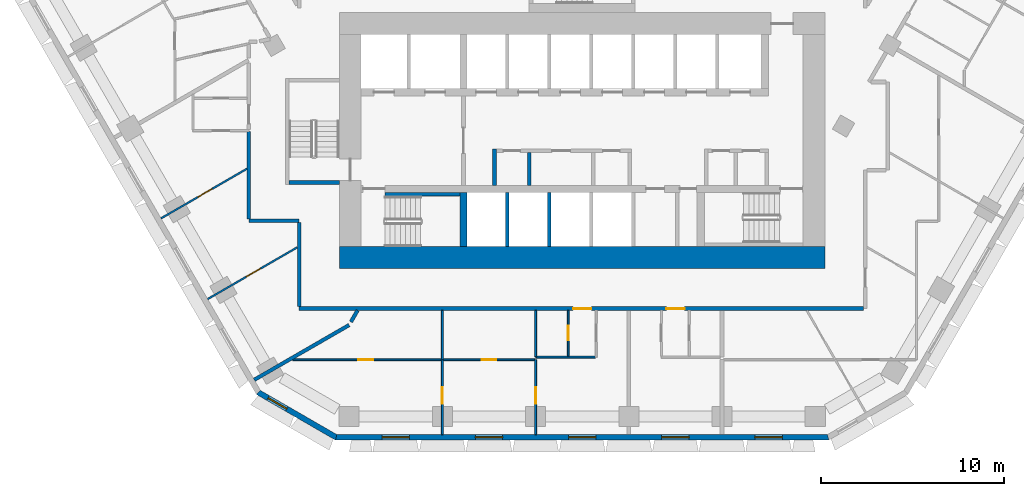
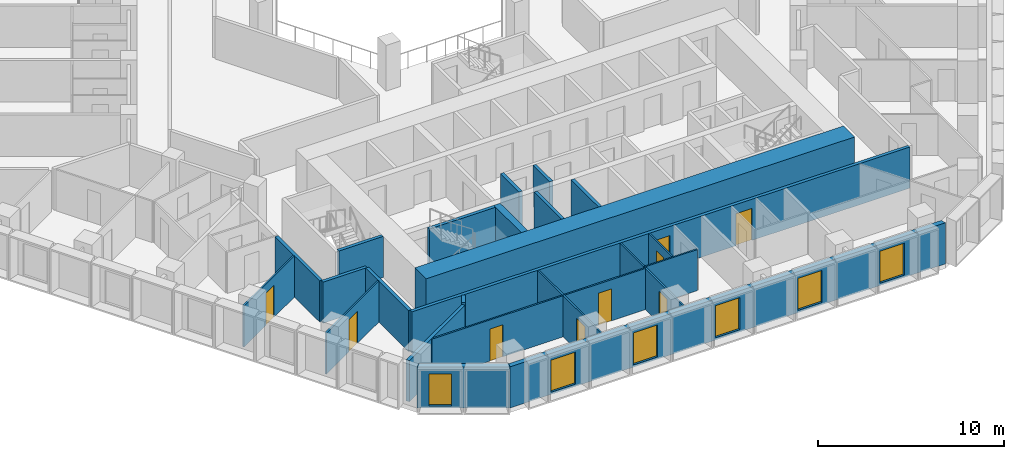
# One storey, part 3 of 16: 25 walls, 9 doors, 6 windows, 15 openings.
"""IFC4 building model written with IfcOpenShell, lengths in metres."""

import ifcopenshell
import ifcopenshell.guid

model = None  # the IFC model being written
_history = None  # IfcOwnerHistory: only IFC2X3 demands one
_inside = {}  # id of a spatial element -> (the spatial element, [elements in it])
_under = {}  # id of a project, library or spatial element -> (it, [spatial elements below it])
_declared = {}  # id of a project -> (the project, [libraries it declares])
_typed = {}  # id of a type object -> (the type object, [elements of that type])
_made_of = {}  # id of a material, layer set ... -> (it, [elements and type objects made of it])


def new_model(schema):
    """Start an empty IFC model of exactly this schema.

    Asked for "IFC4X3", IfcOpenShell would pick the latest addendum, in which some entities
    have other attributes; the version numbers below select the first issue.
    IFC2X3 requires an IfcOwnerHistory on every rooted entity: one is made here for all.
    """
    global model, _history
    if schema == "IFC4X3":
        model = ifcopenshell.file(schema_version=(4, 3, 0, 0))
    else:
        model = ifcopenshell.file(schema=schema)
    _inside.clear()
    _under.clear()
    _declared.clear()
    _typed.clear()
    _made_of.clear()
    _history = None
    if model.schema == "IFC2X3":
        org = make("IfcOrganization", Name="unknown")
        user = make(
            "IfcPersonAndOrganization",
            ThePerson=make("IfcPerson", FamilyName="unknown"),
            TheOrganization=org,
        )
        app = make(
            "IfcApplication",
            ApplicationDeveloper=org,
            Version="unknown",
            ApplicationFullName="unknown",
            ApplicationIdentifier="unknown",
        )
        _history = make(
            "IfcOwnerHistory",
            OwningUser=user,
            OwningApplication=app,
            ChangeAction="ADDED",
            CreationDate=0,
        )
    return model


def make(cls, **values):
    """One entity of the class cls with the attributes given. An attribute that is None is left unset."""
    return model.create_entity(
        cls, **{name: value for name, value in values.items() if value is not None}
    )


def rooted(cls, **values):
    """An entity with a GlobalId (a new one), such as an element, a storey or a relation."""
    return make(cls, GlobalId=ifcopenshell.guid.new(), OwnerHistory=_history, **values)


def si_unit(unit_type, name, prefix=None):
    """IfcSIUnit, for example si_unit("LENGTHUNIT", "METRE", prefix="MILLI")."""
    return make("IfcSIUnit", UnitType=unit_type, Prefix=prefix, Name=name)


def assignment(units):
    """IfcUnitAssignment: the units of a project."""
    return None if units is None else make("IfcUnitAssignment", Units=units)


def point(xyz):
    """IfcCartesianPoint."""
    return None if xyz is None else make("IfcCartesianPoint", Coordinates=xyz)


def direction(xyz):
    """IfcDirection."""
    return None if xyz is None else make("IfcDirection", DirectionRatios=xyz)


def frame(location, z_axis=None, x_axis=None):
    """IfcAxis2Placement3D, a coordinate frame: its origin and axes. An axis left out is left unset."""
    return make(
        "IfcAxis2Placement3D",
        Location=point(location),
        Axis=direction(z_axis),
        RefDirection=direction(x_axis),
    )


def frame_2d(location, x_axis=None):
    """IfcAxis2Placement2D, a coordinate frame in the plane: its origin and x axis."""
    return make(
        "IfcAxis2Placement2D", Location=point(location), RefDirection=direction(x_axis)
    )


def origin():
    """The frame at (0, 0, 0) with its axes left unset."""
    return frame((0.0, 0.0, 0.0))


def place(relative_to, where):
    """IfcLocalPlacement: puts the frame where relative to a parent placement (None: the world)."""
    return make(
        "IfcLocalPlacement", PlacementRelTo=relative_to, RelativePlacement=where
    )


def context(
    kind, dimensions, precision=None, world=None, true_north=None, identifier=None
):
    """IfcGeometricRepresentationContext, for example the 3D "Model" context."""
    return make(
        "IfcGeometricRepresentationContext",
        ContextIdentifier=identifier,
        ContextType=kind,
        CoordinateSpaceDimension=dimensions,
        Precision=precision,
        WorldCoordinateSystem=world,
        TrueNorth=true_north,
    )


def subcontext(parent, identifier, kind, view, scale=None):
    """IfcGeometricRepresentationSubContext, for example "Body" below "Model"."""
    return make(
        "IfcGeometricRepresentationSubContext",
        ContextIdentifier=identifier,
        ContextType=kind,
        ParentContext=parent,
        TargetScale=scale,
        TargetView=view,
    )


def project(units=None, contexts=None):
    """IfcProject with its units and contexts."""
    return rooted(
        "IfcProject",
        Name="project",
        RepresentationContexts=contexts,
        UnitsInContext=assignment(units),
    )


def spatial(cls, under=None, at=None, **own):
    """A site, building, storey or space (cls), placed at a placement, below another one or the project."""
    s = rooted(cls, ObjectPlacement=at, **own)
    if under is not None:
        _under.setdefault(under.id(), (under, []))[1].append(s)
    return s


def polyline(points):
    """IfcPolyline through the points."""
    return make("IfcPolyline", Points=[point(p) for p in points])


def profile(cls, at=None, kind="AREA", **sizes):
    """A parametric profile (cls). Its sizes go by their IFC names, for example OverallWidth=200.0."""
    return make(cls, ProfileType=kind, Position=at, **sizes)


def rectangle(**sizes):
    """IfcRectangleProfileDef."""
    return profile("IfcRectangleProfileDef", **sizes)


def outline(outer, holes=None, kind="AREA"):
    """IfcArbitraryClosedProfileDef: a profile drawn as a closed curve; with holes, ...WithVoids."""
    if holes is None:
        return make("IfcArbitraryClosedProfileDef", ProfileType=kind, OuterCurve=outer)
    return make(
        "IfcArbitraryProfileDefWithVoids",
        ProfileType=kind,
        OuterCurve=outer,
        InnerCurves=holes,
    )


def extrude(swept, where, along, depth):
    """IfcExtrudedAreaSolid: the profile swept, set in the frame where, extruded along a direction by depth."""
    return make(
        "IfcExtrudedAreaSolid",
        SweptArea=swept,
        Position=where,
        ExtrudedDirection=direction(along),
        Depth=depth,
    )


def shape(context_of_items, identifier, shape_type, items):
    """IfcShapeRepresentation: the items that make up one representation, for example the "Body"."""
    return make(
        "IfcShapeRepresentation",
        ContextOfItems=context_of_items,
        RepresentationIdentifier=identifier,
        RepresentationType=shape_type,
        Items=items,
    )


def material(Name=None, Category=None):
    """IfcMaterial."""
    return make("IfcMaterial", Name=Name, Category=Category)


def layer(
    of_material, thickness, ventilated=None, Name=None, Category=None, Priority=None
):
    """IfcMaterialLayer: one layer of a wall or slab, of a material (None: an air gap)."""
    return make(
        "IfcMaterialLayer",
        Material=of_material,
        LayerThickness=thickness,
        IsVentilated=ventilated,
        Name=Name,
        Category=Category,
        Priority=Priority,
    )


def layer_set(layers, Name=None):
    """IfcMaterialLayerSet."""
    return make("IfcMaterialLayerSet", MaterialLayers=layers, LayerSetName=Name)


def made_of(thing, what):
    """Note that an element or type object is made of a material, layer set ...; save() writes the relation."""
    if what is not None:
        _made_of.setdefault(what.id(), (what, []))[1].append(thing)
    return thing


def type_object(cls, material=None, **own):
    """A type object (cls), such as IfcWallType, which elements share."""
    return made_of(rooted(cls, **own), material)


def element(
    cls,
    number,
    at=None,
    inside=None,
    cuts=None,
    type_object=None,
    material=None,
    context=None,
    identifier="Body",
    shape_type=None,
    held_by="IfcProductDefinitionShape",
    body=None,
    shapes=None,
    **own,
):
    """One element of the class cls, such as IfcWall. Its Tag is "e" and its number.

    at: its placement. inside: the storey or other place that contains it. cuts: it is an
    opening in that element (IfcRelVoidsElement). A single representation is given by context,
    identifier, shape_type and body (its items); several are given by shapes. held_by: the class
    of the entity that holds the representations. save() writes the other relations.
    """
    e = rooted(cls, Tag="e%d" % number, ObjectPlacement=at, **own)
    if body is not None:
        shapes = [shape(context, identifier, shape_type, body)]
    if shapes is not None:
        e.Representation = make(held_by, Representations=shapes)
    if inside is not None:
        _inside.setdefault(inside.id(), (inside, []))[1].append(e)
    if cuts is not None:
        rooted(
            "IfcRelVoidsElement", RelatingBuildingElement=cuts, RelatedOpeningElement=e
        )
    if type_object is not None:
        _typed.setdefault(type_object.id(), (type_object, []))[1].append(e)
    return made_of(e, material)


def fill(opening, filler):
    """IfcRelFillsElement: the door or window that sits in an opening."""
    return rooted(
        "IfcRelFillsElement",
        RelatingOpeningElement=opening,
        RelatedBuildingElement=filler,
    )


def aggregate(whole, parts):
    """IfcRelAggregates: a whole, such as a stair, and the parts it consists of."""
    return rooted("IfcRelAggregates", RelatingObject=whole, RelatedObjects=parts)


def save(model, path):
    """Write the relations noted so far, then the file.

    IfcRelAggregates (storeys below a building ...), IfcRelContainedInSpatialStructure (elements
    in a storey), IfcRelDefinesByType, IfcRelAssociatesMaterial and IfcRelDeclares: one each for
    every whole, place, type object, material and project.
    """
    for whole, parts in _under.values():
        aggregate(whole, parts)
    for where, things in _inside.values():
        rooted(
            "IfcRelContainedInSpatialStructure",
            RelatedElements=things,
            RelatingStructure=where,
        )
    for kind, things in _typed.values():
        rooted("IfcRelDefinesByType", RelatedObjects=things, RelatingType=kind)
    for what, things in _made_of.values():
        rooted("IfcRelAssociatesMaterial", RelatedObjects=things, RelatingMaterial=what)
    for by, libraries in _declared.values():
        rooted("IfcRelDeclares", RelatingContext=by, RelatedDefinitions=libraries)
    model.write(path)


model = new_model("IFC4")

# Units and contexts
model_context = context("Model", 3, precision=1e-05, world=origin(), true_north=direction((0.0, 1.0)))
body_context = subcontext(model_context, "Body", "Model", "MODEL_VIEW")
ifc_project = project(units=[si_unit("LENGTHUNIT", "METRE"), si_unit("AREAUNIT", "SQUARE_METRE"), si_unit("VOLUMEUNIT", "CUBIC_METRE"), si_unit("PLANEANGLEUNIT", "RADIAN"), si_unit("MASSUNIT", "GRAM", prefix="KILO")], contexts=[model_context])

# Site, building, storey
site_placement = place(None, origin())
site = spatial("IfcSite", under=ifc_project, at=site_placement, CompositionType="ELEMENT")
building_placement = place(site_placement, origin())
building = spatial("IfcBuilding", under=site, at=building_placement, Name="Beryl Residences", CompositionType="ELEMENT")
storey_placement = place(building_placement, frame((0.0, 0.0, 32.39990234375)))
storey = spatial("IfcBuildingStorey", under=building, at=storey_placement, Name="L09", CompositionType="ELEMENT", Elevation=32.39990234375)

# Wall, opening, window
ifc_material_1 = material(Name="Composite metal panel with mineral wool insulation")
ifc_layer_1 = layer(ifc_material_1, 0.300048828125)
ifc_layer_set_1 = layer_set([ifc_layer_1], Name="ES1 pale metal composite panel wall 300 mm")
wall_type_1 = type_object("IfcWallType", Name="ES1 pale metal composite panel wall 300 mm", PredefinedType="SOLIDWALL", material=ifc_layer_set_1)
wall_1_placement = place(storey_placement, frame((-17.764892578125, -25.77001953125, 0.0), z_axis=(0.0, 0.0, 1.0), x_axis=(0.866010750942, -0.50002537861, 0.0)))
wall_1 = element("IfcWall", 1, at=wall_1_placement, inside=storey, type_object=wall_type_1, Name="ES1 external wall L09 SW-S", PredefinedType="SOLIDWALL", context=body_context, shape_type="SweptSolid", body=[
    extrude(outline(polyline([(0.0, -0.14990234375), (4.999755859375, -0.14990234375), (4.91943359375, 0.14990234375), (0.080322265625, 0.14990234375), (0.0, -0.14990234375)])), origin(), (0.0, 0.0, 1.0), 2.7001953125),
])
opening_1_placement = place(wall_1_placement, frame((0.64990234375, 0.0, 0.14990234375)))
opening_1 = element("IfcOpeningElement", 2, at=opening_1_placement, cuts=wall_1, Name="Opening W2", PredefinedType="OPENING", context=body_context, shape_type="SweptSolid", body=[
    extrude(rectangle(XDim=1.199951171875, YDim=2.10009765625, at=frame_2d((0.60009765625, 1.050048828125))), frame((0.0, 0.159912109375, 0.0), z_axis=(0.0, -1.0, 0.0), x_axis=(1.0, 0.0, 0.0)), (0.0, 0.0, 1.0), 0.320068359375),
])
ifc_material_2 = material(Name="Aluminium and clear glass", Category="aluminium")
window_type_1 = type_object("IfcWindowType", Name="W2 chamfer window 1200 x 2100 mm", PartitioningType="SINGLE_PANEL", PredefinedType="WINDOW", material=ifc_material_2)
window_1_placement = place(opening_1_placement, origin())
window_1 = element("IfcWindow", 3, at=window_1_placement, inside=storey, type_object=window_type_1, Name="W2 window L09 SW-S 1", OverallHeight=2.10009765625, OverallWidth=1.199951171875, PartitioningType="SINGLE_PANEL", PredefinedType="WINDOW", context=body_context, shape_type="SweptSolid", body=[
    extrude(rectangle(XDim=1.199951171875, YDim=2.10009765625, at=frame_2d((0.60009765625, 1.050048828125))), frame((0.0, 0.030029296875, 0.0), z_axis=(0.0, -1.0, 0.0), x_axis=(1.0, 0.0, 0.0)), (0.0, 0.0, 1.0), 0.06005859375),
])
fill(opening_1, window_1)

# Wall, openings, windows
wall_2_placement = place(storey_placement, frame((-13.510009765625, -28.25, 0.0), z_axis=(0.0, 0.0, 1.0), x_axis=(1.0, 0.0, 0.0)))
wall_2 = element("IfcWall", 4, at=wall_2_placement, inside=storey, type_object=wall_type_1, Name="ES1 external wall L09 S", PredefinedType="SOLIDWALL", context=body_context, shape_type="SweptSolid", body=[
    extrude(outline(polyline([(0.0, -0.14990234375), (27.02001953125, -0.14990234375), (26.939697265625, 0.14990234375), (0.080322265625, 0.14990234375), (0.0, -0.14990234375)])), origin(), (0.0, 0.0, 1.0), 2.7001953125),
])
opening_2_placement = place(wall_2_placement, frame((2.552978515625, 0.0, 0.14990234375)))
opening_2 = element("IfcOpeningElement", 5, at=opening_2_placement, cuts=wall_2, Name="Opening W1", PredefinedType="OPENING", context=body_context, shape_type="SweptSolid", body=[
    extrude(rectangle(XDim=1.5, YDim=2.10009765625, at=frame_2d((0.75, 1.050048828125))), frame((0.0, 0.159912109375, 0.0), z_axis=(0.0, -1.0, 0.0), x_axis=(1.0, 0.0, 0.0)), (0.0, 0.0, 1.0), 0.320068359375),
])
opening_3_placement = place(wall_2_placement, frame((7.656982421875, 0.0, 0.14990234375)))
opening_3 = element("IfcOpeningElement", 6, at=opening_3_placement, cuts=wall_2, Name="Opening W1", PredefinedType="OPENING", context=body_context, shape_type="SweptSolid", body=[
    extrude(rectangle(XDim=1.5, YDim=2.10009765625, at=frame_2d((0.75, 1.050048828125))), frame((0.0, 0.159912109375, 0.0), z_axis=(0.0, -1.0, 0.0), x_axis=(1.0, 0.0, 0.0)), (0.0, 0.0, 1.0), 0.320068359375),
])
opening_4_placement = place(wall_2_placement, frame((12.760986328125, 0.0, 0.14990234375)))
opening_4 = element("IfcOpeningElement", 7, at=opening_4_placement, cuts=wall_2, Name="Opening W1", PredefinedType="OPENING", context=body_context, shape_type="SweptSolid", body=[
    extrude(rectangle(XDim=1.5, YDim=2.10009765625, at=frame_2d((0.75, 1.050048828125))), frame((0.0, 0.159912109375, 0.0), z_axis=(0.0, -1.0, 0.0), x_axis=(1.0, 0.0, 0.0)), (0.0, 0.0, 1.0), 0.320068359375),
])
opening_5_placement = place(wall_2_placement, frame((17.864990234375, 0.0, 0.14990234375)))
opening_5 = element("IfcOpeningElement", 8, at=opening_5_placement, cuts=wall_2, Name="Opening W1", PredefinedType="OPENING", context=body_context, shape_type="SweptSolid", body=[
    extrude(rectangle(XDim=1.5, YDim=2.10009765625, at=frame_2d((0.75, 1.050048828125))), frame((0.0, 0.159912109375, 0.0), z_axis=(0.0, -1.0, 0.0), x_axis=(1.0, 0.0, 0.0)), (0.0, 0.0, 1.0), 0.320068359375),
])
opening_6_placement = place(wall_2_placement, frame((22.968994140625, 0.0, 0.14990234375)))
opening_6 = element("IfcOpeningElement", 9, at=opening_6_placement, cuts=wall_2, Name="Opening W1", PredefinedType="OPENING", context=body_context, shape_type="SweptSolid", body=[
    extrude(rectangle(XDim=1.5, YDim=2.10009765625, at=frame_2d((0.75, 1.050048828125))), frame((0.0, 0.159912109375, 0.0), z_axis=(0.0, -1.0, 0.0), x_axis=(1.0, 0.0, 0.0)), (0.0, 0.0, 1.0), 0.320068359375),
])
ifc_material_3 = material(Name="Aluminium and clear glass", Category="aluminium")
window_type_2 = type_object("IfcWindowType", Name="W1 cell window 1500 x 2100 mm", PartitioningType="SINGLE_PANEL", PredefinedType="WINDOW", material=ifc_material_3)
window_2_placement = place(opening_2_placement, origin())
window_2 = element("IfcWindow", 10, at=window_2_placement, inside=storey, type_object=window_type_2, Name="W1 window L09 S 2", OverallHeight=2.10009765625, OverallWidth=1.5, PartitioningType="SINGLE_PANEL", PredefinedType="WINDOW", context=body_context, shape_type="SweptSolid", body=[
    extrude(rectangle(XDim=1.5, YDim=2.10009765625, at=frame_2d((0.75, 1.050048828125))), frame((0.0, 0.030029296875, 0.0), z_axis=(0.0, -1.0, 0.0), x_axis=(1.0, 0.0, 0.0)), (0.0, 0.0, 1.0), 0.06005859375),
])
fill(opening_2, window_2)
window_3_placement = place(opening_3_placement, origin())
window_3 = element("IfcWindow", 11, at=window_3_placement, inside=storey, type_object=window_type_2, Name="W1 window L09 S 4", OverallHeight=2.10009765625, OverallWidth=1.5, PartitioningType="SINGLE_PANEL", PredefinedType="WINDOW", context=body_context, shape_type="SweptSolid", body=[
    extrude(rectangle(XDim=1.5, YDim=2.10009765625, at=frame_2d((0.75, 1.050048828125))), frame((0.0, 0.030029296875, 0.0), z_axis=(0.0, -1.0, 0.0), x_axis=(1.0, 0.0, 0.0)), (0.0, 0.0, 1.0), 0.06005859375),
])
fill(opening_3, window_3)
window_4_placement = place(opening_4_placement, origin())
window_4 = element("IfcWindow", 12, at=window_4_placement, inside=storey, type_object=window_type_2, Name="W1 window L09 S 6", OverallHeight=2.10009765625, OverallWidth=1.5, PartitioningType="SINGLE_PANEL", PredefinedType="WINDOW", context=body_context, shape_type="SweptSolid", body=[
    extrude(rectangle(XDim=1.5, YDim=2.10009765625, at=frame_2d((0.75, 1.050048828125))), frame((0.0, 0.030029296875, 0.0), z_axis=(0.0, -1.0, 0.0), x_axis=(1.0, 0.0, 0.0)), (0.0, 0.0, 1.0), 0.06005859375),
])
fill(opening_4, window_4)
window_5_placement = place(opening_5_placement, origin())
window_5 = element("IfcWindow", 13, at=window_5_placement, inside=storey, type_object=window_type_2, Name="W1 window L09 S 8", OverallHeight=2.10009765625, OverallWidth=1.5, PartitioningType="SINGLE_PANEL", PredefinedType="WINDOW", context=body_context, shape_type="SweptSolid", body=[
    extrude(rectangle(XDim=1.5, YDim=2.10009765625, at=frame_2d((0.75, 1.050048828125))), frame((0.0, 0.030029296875, 0.0), z_axis=(0.0, -1.0, 0.0), x_axis=(1.0, 0.0, 0.0)), (0.0, 0.0, 1.0), 0.06005859375),
])
fill(opening_5, window_5)
window_6_placement = place(opening_6_placement, origin())
window_6 = element("IfcWindow", 14, at=window_6_placement, inside=storey, type_object=window_type_2, Name="W1 window L09 S 10", OverallHeight=2.10009765625, OverallWidth=1.5, PartitioningType="SINGLE_PANEL", PredefinedType="WINDOW", context=body_context, shape_type="SweptSolid", body=[
    extrude(rectangle(XDim=1.5, YDim=2.10009765625, at=frame_2d((0.75, 1.050048828125))), frame((0.0, 0.030029296875, 0.0), z_axis=(0.0, -1.0, 0.0), x_axis=(1.0, 0.0, 0.0)), (0.0, 0.0, 1.0), 0.06005859375),
])
fill(opening_6, window_6)

# Walls
ifc_material_4 = material(Name="Gypsum board partition on steel studs", Category="steel")
ifc_layer_2 = layer(ifc_material_4, 0.10009765625)
ifc_layer_set_2 = layer_set([ifc_layer_2], Name="PT1 partition 100 mm gypsum board on steel studs")
wall_type_2 = type_object("IfcWallType", Name="PT1 partition 100 mm gypsum board on steel studs", PredefinedType="PARTITIONING", material=ifc_layer_set_2)
wall_3_placement = place(storey_placement, frame((-2.551025390625, -21.300048828125, 0.0), z_axis=(0.0, 0.0, 1.0), x_axis=(0.0, -1.0, 0.0)))
element("IfcWall", 15, at=wall_3_placement, inside=storey, type_object=wall_type_2, Name="Wall PT1 L09 011", PredefinedType="PARTITIONING", context=body_context, shape_type="SweptSolid", body=[
    extrude(rectangle(XDim=2.530029296875, YDim=0.10009765625, at=frame_2d((1.26513671875, 0.0))), origin(), (0.0, 0.0, 1.0), 2.7001953125),
])
wall_4_placement = place(storey_placement, frame((-2.551025390625, -23.860107421875, 0.0), z_axis=(0.0, 0.0, 1.0), x_axis=(1.0, 0.0, 0.0)))
element("IfcWall", 16, at=wall_4_placement, inside=storey, type_object=wall_type_2, Name="Wall PT1 L09 030", PredefinedType="PARTITIONING", context=body_context, shape_type="SweptSolid", body=[
    extrude(rectangle(XDim=3.26708984375, YDim=0.10009765625, at=frame_2d((1.633544921875, 0.0))), origin(), (0.0, 0.0, 1.0), 2.7001953125),
])

# Wall, openings, doors
wall_5_placement = place(storey_placement, frame((-15.847900390625, -24.0, 0.0), z_axis=(0.0, 0.0, 1.0), x_axis=(1.0, 0.0, 0.0)))
wall_5 = element("IfcWall", 17, at=wall_5_placement, inside=storey, type_object=wall_type_2, Name="Wall PT1 L09 032", PredefinedType="PARTITIONING", context=body_context, shape_type="SweptSolid", body=[
    extrude(rectangle(XDim=13.246826171875, YDim=0.10009765625, at=frame_2d((6.62353515625, 0.0))), origin(), (0.0, 0.0, 1.0), 2.7001953125),
])
opening_7_placement = place(wall_5_placement, frame((3.595947265625, 0.0, 0.0)))
opening_7 = element("IfcOpeningElement", 18, at=opening_7_placement, cuts=wall_5, Name="Opening D0429", PredefinedType="OPENING", context=body_context, shape_type="SweptSolid", body=[
    extrude(rectangle(XDim=0.800048828125, YDim=2.10009765625, at=frame_2d((0.39990234375, 1.050048828125))), frame((0.0, 0.06005859375, 0.0), z_axis=(0.0, -1.0, 0.0), x_axis=(1.0, 0.0, 0.0)), (0.0, 0.0, 1.0), 0.1201171875),
])
opening_8_placement = place(wall_5_placement, frame((10.344970703125, 0.0, 0.0)))
opening_8 = element("IfcOpeningElement", 19, at=opening_8_placement, cuts=wall_5, Name="Opening D0430", PredefinedType="OPENING", context=body_context, shape_type="SweptSolid", body=[
    extrude(rectangle(XDim=0.800048828125, YDim=2.10009765625, at=frame_2d((0.39990234375, 1.050048828125))), frame((0.0, 0.06005859375, 0.0), z_axis=(0.0, -1.0, 0.0), x_axis=(1.0, 0.0, 0.0)), (0.0, 0.0, 1.0), 0.1201171875),
])
ifc_material_5 = material(Name="Timber door leaf", Category="wood")
door_type_1 = type_object("IfcDoorType", Name="D3 bathroom door 800 x 2100 mm", OperationType="SINGLE_SWING_LEFT", PredefinedType="DOOR", material=ifc_material_5)
door_1_placement = place(opening_7_placement, origin())
door_1 = element("IfcDoor", 20, at=door_1_placement, inside=storey, type_object=door_type_1, Name="Door D0429 L09 001", OperationType="SINGLE_SWING_LEFT", OverallHeight=2.10009765625, OverallWidth=0.800048828125, PredefinedType="DOOR", context=body_context, shape_type="SweptSolid", body=[
    extrude(rectangle(XDim=0.800048828125, YDim=2.10009765625, at=frame_2d((0.39990234375, 1.050048828125))), frame((0.0, 0.02490234375, 0.0), z_axis=(0.0, -1.0, 0.0), x_axis=(1.0, 0.0, 0.0)), (0.0, 0.0, 1.0), 0.050048828125),
])
fill(opening_7, door_1)
door_2_placement = place(opening_8_placement, origin())
door_2 = element("IfcDoor", 21, at=door_2_placement, inside=storey, type_object=door_type_1, Name="Door D0430 L09 001", OperationType="SINGLE_SWING_RIGHT", OverallHeight=2.10009765625, OverallWidth=0.800048828125, PredefinedType="DOOR", context=body_context, shape_type="SweptSolid", body=[
    extrude(rectangle(XDim=0.800048828125, YDim=2.10009765625, at=frame_2d((0.39990234375, 1.050048828125))), frame((0.0, 0.02490234375, 0.0), z_axis=(0.0, -1.0, 0.0), x_axis=(1.0, 0.0, 0.0)), (0.0, 0.0, 1.0), 0.050048828125),
])
fill(opening_8, door_2)

# Wall, opening, door
wall_6_placement = place(storey_placement, frame((-0.764892578125, -23.81005859375, 0.0), z_axis=(0.0, 0.0, 1.0), x_axis=(0.0, 1.0, 0.0)))
wall_6 = element("IfcWall", 22, at=wall_6_placement, inside=storey, type_object=wall_type_2, Name="Wall PT1 L09 053", PredefinedType="PARTITIONING", context=body_context, shape_type="SweptSolid", body=[
    extrude(rectangle(XDim=2.510009765625, YDim=0.10009765625, at=frame_2d((1.2548828125, 0.0))), origin(), (0.0, 0.0, 1.0), 2.7001953125),
])
opening_9_placement = place(wall_6_placement, frame((0.8798828125, 0.0, 0.0)))
opening_9 = element("IfcOpeningElement", 23, at=opening_9_placement, cuts=wall_6, Name="Opening D0426", PredefinedType="OPENING", context=body_context, shape_type="SweptSolid", body=[
    extrude(rectangle(XDim=0.800048828125, YDim=2.10009765625, at=frame_2d((0.39990234375, 1.050048828125))), frame((0.0, 0.06005859375, 0.0), z_axis=(0.0, -1.0, 0.0), x_axis=(1.0, 0.0, 0.0)), (0.0, 0.0, 1.0), 0.1201171875),
])
door_3_placement = place(opening_9_placement, origin())
door_3 = element("IfcDoor", 24, at=door_3_placement, inside=storey, type_object=door_type_1, Name="Door D0426 L09 001", OperationType="SINGLE_SWING_RIGHT", OverallHeight=2.10009765625, OverallWidth=0.800048828125, PredefinedType="DOOR", context=body_context, shape_type="SweptSolid", body=[
    extrude(rectangle(XDim=0.800048828125, YDim=2.10009765625, at=frame_2d((0.39990234375, 1.050048828125))), frame((0.0, 0.02490234375, 0.0), z_axis=(0.0, -1.0, 0.0), x_axis=(1.0, 0.0, 0.0)), (0.0, 0.0, 1.0), 0.050048828125),
])
fill(opening_9, door_3)

wall_7_placement = place(storey_placement, frame((-7.655029296875, -28.10009765625, 0.0), z_axis=(0.0, 0.0, 1.0), x_axis=(0.0, 1.0, 0.0)))
wall_7 = element("IfcWall", 25, at=wall_7_placement, inside=storey, type_object=wall_type_2, Name="Wall PT1 L09 054", PredefinedType="PARTITIONING", context=body_context, shape_type="SweptSolid", body=[
    extrude(rectangle(XDim=4.10009765625, YDim=0.10009765625, at=frame_2d((2.050048828125, 0.0))), origin(), (0.0, 0.0, 1.0), 2.7001953125),
])
opening_10_placement = place(wall_7_placement, frame((1.699951171875, 0.0, 0.0)))
opening_10 = element("IfcOpeningElement", 26, at=opening_10_placement, cuts=wall_7, Name="Opening D0428", PredefinedType="OPENING", context=body_context, shape_type="SweptSolid", body=[
    extrude(rectangle(XDim=0.89990234375, YDim=2.10009765625, at=frame_2d((0.449951171875, 1.050048828125))), frame((0.0, 0.06005859375, 0.0), z_axis=(0.0, -1.0, 0.0), x_axis=(1.0, 0.0, 0.0)), (0.0, 0.0, 1.0), 0.1201171875),
])
ifc_material_6 = material(Name="Timber door leaf", Category="wood")
door_type_2 = type_object("IfcDoorType", Name="D2 room door 900 x 2100 mm", OperationType="SINGLE_SWING_LEFT", PredefinedType="DOOR", material=ifc_material_6)
door_4_placement = place(opening_10_placement, origin())
door_4 = element("IfcDoor", 27, at=door_4_placement, inside=storey, type_object=door_type_2, Name="Door D0428 L09 001", OperationType="SINGLE_SWING_RIGHT", OverallHeight=2.10009765625, OverallWidth=0.89990234375, PredefinedType="DOOR", context=body_context, shape_type="SweptSolid", body=[
    extrude(rectangle(XDim=0.89990234375, YDim=2.10009765625, at=frame_2d((0.449951171875, 1.050048828125))), frame((0.0, 0.02490234375, 0.0), z_axis=(0.0, -1.0, 0.0), x_axis=(1.0, 0.0, 0.0)), (0.0, 0.0, 1.0), 0.050048828125),
])
fill(opening_10, door_4)

wall_8_placement = place(storey_placement, frame((-2.551025390625, -28.10009765625, 0.0), z_axis=(0.0, 0.0, 1.0), x_axis=(0.0, 1.0, 0.0)))
wall_8 = element("IfcWall", 28, at=wall_8_placement, inside=storey, type_object=wall_type_2, Name="Wall PT1 L09 059", PredefinedType="PARTITIONING", context=body_context, shape_type="SweptSolid", body=[
    extrude(rectangle(XDim=4.10009765625, YDim=0.10009765625, at=frame_2d((2.050048828125, 0.0))), origin(), (0.0, 0.0, 1.0), 2.7001953125),
])
opening_11_placement = place(wall_8_placement, frame((1.699951171875, 0.0, 0.0)))
opening_11 = element("IfcOpeningElement", 29, at=opening_11_placement, cuts=wall_8, Name="Opening D0427", PredefinedType="OPENING", context=body_context, shape_type="SweptSolid", body=[
    extrude(rectangle(XDim=0.89990234375, YDim=2.10009765625, at=frame_2d((0.449951171875, 1.050048828125))), frame((0.0, 0.06005859375, 0.0), z_axis=(0.0, -1.0, 0.0), x_axis=(1.0, 0.0, 0.0)), (0.0, 0.0, 1.0), 0.1201171875),
])
door_5_placement = place(opening_11_placement, origin())
door_5 = element("IfcDoor", 30, at=door_5_placement, inside=storey, type_object=door_type_2, Name="Door D0427 L09 001", OperationType="SINGLE_SWING_LEFT", OverallHeight=2.10009765625, OverallWidth=0.89990234375, PredefinedType="DOOR", context=body_context, shape_type="SweptSolid", body=[
    extrude(rectangle(XDim=0.89990234375, YDim=2.10009765625, at=frame_2d((0.449951171875, 1.050048828125))), frame((0.0, 0.02490234375, 0.0), z_axis=(0.0, -1.0, 0.0), x_axis=(1.0, 0.0, 0.0)), (0.0, 0.0, 1.0), 0.050048828125),
])
fill(opening_11, door_5)

wall_9_placement = place(storey_placement, frame((-20.507080078125, -20.680908203125, 0.0), z_axis=(0.0, 0.0, 1.0), x_axis=(0.866028446103, 0.499994730513, 0.0)))
wall_9 = element("IfcWall", 31, at=wall_9_placement, inside=storey, type_object=wall_type_2, Name="Wall PT1 L09 062", PredefinedType="PARTITIONING", context=body_context, shape_type="SweptSolid", body=[
    extrude(rectangle(XDim=5.666015625, YDim=0.10009765625, at=frame_2d((2.8330078125, 0.0))), origin(), (0.0, 0.0, 1.0), 2.7001953125),
])
opening_12_placement = place(wall_9_placement, frame((2.43994140625, 0.0, 0.0)))
opening_12 = element("IfcOpeningElement", 32, at=opening_12_placement, cuts=wall_9, Name="Opening D0423", PredefinedType="OPENING", context=body_context, shape_type="SweptSolid", body=[
    extrude(rectangle(XDim=0.89990234375, YDim=2.10009765625, at=frame_2d((0.449951171875, 1.050048828125))), frame((0.0, 0.06005859375, 0.0), z_axis=(0.0, -1.0, 0.0), x_axis=(1.0, 0.0, 0.0)), (0.0, 0.0, 1.0), 0.1201171875),
])
door_6_placement = place(opening_12_placement, origin())
door_6 = element("IfcDoor", 33, at=door_6_placement, inside=storey, type_object=door_type_2, Name="Door D0423 L09 001", OperationType="SINGLE_SWING_LEFT", OverallHeight=2.10009765625, OverallWidth=0.89990234375, PredefinedType="DOOR", context=body_context, shape_type="SweptSolid", body=[
    extrude(rectangle(XDim=0.89990234375, YDim=2.10009765625, at=frame_2d((0.449951171875, 1.050048828125))), frame((0.0, 0.02490234375, 0.0), z_axis=(0.0, -1.0, 0.0), x_axis=(1.0, 0.0, 0.0)), (0.0, 0.0, 1.0), 0.050048828125),
])
fill(opening_12, door_6)

wall_10_placement = place(storey_placement, frame((-23.05908203125, -16.260986328125, 0.0), z_axis=(0.0, 0.0, 1.0), x_axis=(0.866004639177, 0.500035963631, 0.0)))
wall_10 = element("IfcWall", 34, at=wall_10_placement, inside=storey, type_object=wall_type_2, Name="Wall PT1 L09 064", PredefinedType="PARTITIONING", context=body_context, shape_type="SweptSolid", body=[
    extrude(rectangle(XDim=5.4375, YDim=0.10009765625, at=frame_2d((2.71875, 0.0))), origin(), (0.0, 0.0, 1.0), 2.7001953125),
])
opening_13_placement = place(wall_10_placement, frame((2.325927734375, 0.0, 0.0)))
opening_13 = element("IfcOpeningElement", 35, at=opening_13_placement, cuts=wall_10, Name="Opening D0422", PredefinedType="OPENING", context=body_context, shape_type="SweptSolid", body=[
    extrude(rectangle(XDim=0.89990234375, YDim=2.10009765625, at=frame_2d((0.449951171875, 1.050048828125))), frame((0.0, 0.06005859375, 0.0), z_axis=(0.0, -1.0, 0.0), x_axis=(1.0, 0.0, 0.0)), (0.0, 0.0, 1.0), 0.1201171875),
])
door_7_placement = place(opening_13_placement, origin())
door_7 = element("IfcDoor", 36, at=door_7_placement, inside=storey, type_object=door_type_2, Name="Door D0422 L09 001", OperationType="SINGLE_SWING_RIGHT", OverallHeight=2.10009765625, OverallWidth=0.89990234375, PredefinedType="DOOR", context=body_context, shape_type="SweptSolid", body=[
    extrude(rectangle(XDim=0.89990234375, YDim=2.10009765625, at=frame_2d((0.449951171875, 1.050048828125))), frame((0.0, 0.02490234375, 0.0), z_axis=(0.0, -1.0, 0.0), x_axis=(1.0, 0.0, 0.0)), (0.0, 0.0, 1.0), 0.050048828125),
])
fill(opening_13, door_7)

# Walls
wall_11_placement = place(storey_placement, frame((-7.655029296875, -24.0, 0.0), z_axis=(0.0, 0.0, 1.0), x_axis=(0.0, 1.0, 0.0)))
element("IfcWall", 37, at=wall_11_placement, inside=storey, type_object=wall_type_2, Name="Wall PT1 L09 075", PredefinedType="PARTITIONING", context=body_context, shape_type="SweptSolid", body=[
    extrude(rectangle(XDim=2.699951171875, YDim=0.10009765625, at=frame_2d((1.35009765625, 0.0))), origin(), (0.0, 0.0, 1.0), 2.7001953125),
])
ifc_material_7 = material(Name="Concrete masonry", Category="masonry")
ifc_layer_3 = layer(ifc_material_7, 0.199951171875)
ifc_layer_set_3 = layer_set([ifc_layer_3], Name="PT13 lobby wall 200 mm")
wall_type_3 = type_object("IfcWallType", Name="PT13 lobby wall 200 mm", PredefinedType="PARTITIONING", material=ifc_layer_set_3)
wall_12_placement = place(storey_placement, frame((-4.800048828125, -14.449951171875, 0.0), z_axis=(0.0, 0.0, 1.0), x_axis=(0.0, 1.0, 0.0)))
element("IfcWall", 38, at=wall_12_placement, inside=storey, type_object=wall_type_3, Name="Lobby wall 07", PredefinedType="PARTITIONING", context=body_context, shape_type="SweptSolid", body=[
    extrude(rectangle(XDim=2.0, YDim=0.199951171875, at=frame_2d((1.0, 0.0))), origin(), (0.0, 0.0, 1.0), 2.7001953125),
])
ifc_material_8 = material(Name="Acoustic double stud gypsum board wall")
ifc_layer_4 = layer(ifc_material_8, 0.199951171875)
ifc_layer_set_4 = layer_set([ifc_layer_4], Name="PT3 party wall 200 mm acoustic double stud")
wall_type_4 = type_object("IfcWallType", Name="PT3 party wall 200 mm acoustic double stud", PredefinedType="PARTITIONING", material=ifc_layer_set_4)
wall_13_placement = place(storey_placement, frame((-12.660888671875, -21.928955078125, 0.0), z_axis=(0.0, 0.0, 1.0), x_axis=(0.499683639304, 0.866207977689, 0.0)))
element("IfcWall", 39, at=wall_13_placement, inside=storey, type_object=wall_type_4, Name="Wall PT3 L09 013", PredefinedType="PARTITIONING", context=body_context, shape_type="SweptSolid", body=[
    extrude(rectangle(XDim=0.72607421875, YDim=0.199951171875, at=frame_2d((0.363037109375, 0.0))), origin(), (0.0, 0.0, 1.0), 2.7001953125),
])
wall_14_placement = place(storey_placement, frame((-17.955078125, -25.10107421875, 0.0), z_axis=(0.0, 0.0, 1.0), x_axis=(0.866039817231, 0.499975034347, 0.0)))
element("IfcWall", 40, at=wall_14_placement, inside=storey, type_object=wall_type_4, Name="Wall PT3 L09 022", PredefinedType="PARTITIONING", context=body_context, shape_type="SweptSolid", body=[
    extrude(rectangle(XDim=5.996337890625, YDim=0.199951171875, at=frame_2d((2.998046875, 0.0))), origin(), (0.0, 0.0, 1.0), 2.7001953125),
])
ifc_material_9 = material(Name="Double stud gypsum board wall")
ifc_layer_5 = layer(ifc_material_9, 0.199951171875)
ifc_layer_set_5 = layer_set([ifc_layer_5], Name="PT4 corridor wall 200 mm double stud")
wall_type_5 = type_object("IfcWallType", Name="PT4 corridor wall 200 mm double stud", PredefinedType="PARTITIONING", material=ifc_layer_set_5)
wall_15_placement = place(storey_placement, frame((-15.5, -16.5, 0.0), z_axis=(0.0, 0.0, 1.0), x_axis=(0.0, -1.0, 0.0)))
element("IfcWall", 41, at=wall_15_placement, inside=storey, type_object=wall_type_5, Name="Wall PT4 L09 007", PredefinedType="PARTITIONING", context=body_context, shape_type="SweptSolid", body=[
    extrude(rectangle(XDim=4.59912109375, YDim=0.199951171875, at=frame_2d((2.299560546875, 0.0))), origin(), (0.0, 0.0, 1.0), 2.7001953125),
])
wall_16_placement = place(storey_placement, frame((-18.25, -11.507080078125, 0.0), z_axis=(0.0, 0.0, 1.0), x_axis=(0.0, -1.0, 0.0)))
element("IfcWall", 42, at=wall_16_placement, inside=storey, type_object=wall_type_5, Name="Wall PT4 L09 008", PredefinedType="PARTITIONING", context=body_context, shape_type="SweptSolid", body=[
    extrude(rectangle(XDim=4.7919921875, YDim=0.199951171875, at=frame_2d((2.39599609375, 0.0))), origin(), (0.0, 0.0, 1.0), 2.7001953125),
])
wall_17_placement = place(storey_placement, frame((-18.2490234375, -16.39990234375, 0.0), z_axis=(0.0, 0.0, 1.0), x_axis=(1.0, 0.0, 0.0)))
element("IfcWall", 43, at=wall_17_placement, inside=storey, type_object=wall_type_5, Name="Wall PT4 L09 012", PredefinedType="PARTITIONING", context=body_context, shape_type="SweptSolid", body=[
    extrude(rectangle(XDim=2.7490234375, YDim=0.199951171875, at=frame_2d((1.37451171875, 0.0))), origin(), (0.0, 0.0, 1.0), 2.7001953125),
])

# Wall, openings, doors
wall_18_placement = place(storey_placement, frame((-15.4990234375, -21.199951171875, 0.0), z_axis=(0.0, 0.0, 1.0), x_axis=(1.0, 0.0, 0.0)))
wall_18 = element("IfcWall", 44, at=wall_18_placement, inside=storey, type_object=wall_type_5, Name="Wall PT4 L09 013", PredefinedType="PARTITIONING", context=body_context, shape_type="SweptSolid", body=[
    extrude(rectangle(XDim=30.89794921875, YDim=0.199951171875, at=frame_2d((15.448974609375, 0.0))), origin(), (0.0, 0.0, 1.0), 2.7001953125),
])
opening_14_placement = place(wall_18_placement, frame((15.0, 0.0, 0.0)))
opening_14 = element("IfcOpeningElement", 45, at=opening_14_placement, cuts=wall_18, Name="Opening D0424", PredefinedType="OPENING", context=body_context, shape_type="SweptSolid", body=[
    extrude(rectangle(XDim=1.0, YDim=2.10009765625, at=frame_2d((0.5, 1.050048828125))), frame((0.0, 0.10986328125, 0.0), z_axis=(0.0, -1.0, 0.0), x_axis=(1.0, 0.0, 0.0)), (0.0, 0.0, 1.0), 0.219970703125),
])
opening_15_placement = place(wall_18_placement, frame((20.10400390625, 0.0, 0.0)))
opening_15 = element("IfcOpeningElement", 46, at=opening_15_placement, cuts=wall_18, Name="Opening D0431", PredefinedType="OPENING", context=body_context, shape_type="SweptSolid", body=[
    extrude(rectangle(XDim=1.0, YDim=2.10009765625, at=frame_2d((0.5, 1.050048828125))), frame((0.0, 0.10986328125, 0.0), z_axis=(0.0, -1.0, 0.0), x_axis=(1.0, 0.0, 0.0)), (0.0, 0.0, 1.0), 0.219970703125),
])
ifc_material_10 = material(Name="Timber door leaf", Category="wood")
door_type_3 = type_object("IfcDoorType", Name="D1 flat entrance door 1000 x 2100 mm", OperationType="SINGLE_SWING_LEFT", PredefinedType="DOOR", material=ifc_material_10)
door_8_placement = place(opening_14_placement, origin())
door_8 = element("IfcDoor", 47, at=door_8_placement, inside=storey, type_object=door_type_3, Name="Door D0424 L09 001", OperationType="SINGLE_SWING_RIGHT", OverallHeight=2.10009765625, OverallWidth=1.0, PredefinedType="DOOR", context=body_context, shape_type="SweptSolid", body=[
    extrude(rectangle(XDim=1.0, YDim=2.10009765625, at=frame_2d((0.5, 1.050048828125))), frame((0.0, 0.02490234375, 0.0), z_axis=(0.0, -1.0, 0.0), x_axis=(1.0, 0.0, 0.0)), (0.0, 0.0, 1.0), 0.050048828125),
])
fill(opening_14, door_8)
door_9_placement = place(opening_15_placement, origin())
door_9 = element("IfcDoor", 48, at=door_9_placement, inside=storey, type_object=door_type_3, Name="Door D0431 L09 001", OperationType="SINGLE_SWING_LEFT", OverallHeight=2.10009765625, OverallWidth=1.0, PredefinedType="DOOR", context=body_context, shape_type="SweptSolid", body=[
    extrude(rectangle(XDim=1.0, YDim=2.10009765625, at=frame_2d((0.5, 1.050048828125))), frame((0.0, 0.02490234375, 0.0), z_axis=(0.0, -1.0, 0.0), x_axis=(1.0, 0.0, 0.0)), (0.0, 0.0, 1.0), 0.050048828125),
])
fill(opening_15, door_9)

# Walls
ifc_material_11 = material(Name="Concrete C40/50", Category="concrete")
ifc_layer_6 = layer(ifc_material_11, 0.199951171875)
ifc_layer_set_6 = layer_set([ifc_layer_6], Name="PT5 stair enclosure wall 200 mm reinforced concrete C40/50")
wall_type_6 = type_object("IfcWallType", Name="PT5 stair enclosure wall 200 mm reinforced concrete C40/50", PredefinedType="SOLIDWALL", material=ifc_layer_set_6)
wall_19_placement = place(storey_placement, frame((-16.050048828125, -14.300048828125, 0.0), z_axis=(0.0, 0.0, 1.0), x_axis=(1.0, 0.0, 0.0)))
element("IfcWall", 49, at=wall_19_placement, inside=storey, type_object=wall_type_6, Name="Stair wall 02", PredefinedType="SOLIDWALL", context=body_context, shape_type="SweptSolid", body=[
    extrude(rectangle(XDim=2.75, YDim=0.199951171875, at=frame_2d((1.375, 0.0))), origin(), (0.0, 0.0, 1.0), 2.7001953125),
])
wall_20_placement = place(storey_placement, frame((-10.800048828125, -14.949951171875, 0.0), z_axis=(0.0, 0.0, 1.0), x_axis=(1.0, 0.0, 0.0)))
element("IfcWall", 50, at=wall_20_placement, inside=storey, type_object=wall_type_6, Name="Stair wall 04", PredefinedType="SOLIDWALL", context=body_context, shape_type="SweptSolid", body=[
    extrude(rectangle(XDim=4.10009765625, YDim=0.199951171875, at=frame_2d((2.050048828125, 0.0))), origin(), (0.0, 0.0, 1.0), 2.7001953125),
])
ifc_material_12 = material(Name="Concrete C40/50", Category="concrete")
ifc_layer_7 = layer(ifc_material_12, 0.199951171875)
ifc_layer_set_7 = layer_set([ifc_layer_7], Name="PT6 lift shaft wall 200 mm reinforced concrete C40/50")
wall_type_7 = type_object("IfcWallType", Name="PT6 lift shaft wall 200 mm reinforced concrete C40/50", PredefinedType="SOLIDWALL", material=ifc_layer_set_7)
for number, where, z_axis, x_axis, name in (
    (51, (-4.10009765625, -17.800048828125, 0.0), (0.0, 0.0, 1.0), (0.0, 1.0, 0.0), "Lift shaft wall 09"),
    (52, (-1.800048828125, -17.800048828125, 0.0), (0.0, 0.0, 1.0), (0.0, 1.0, 0.0), "Lift shaft wall 12"),
):
    element("IfcWall", number, at=place(storey_placement, frame(where, z_axis=z_axis, x_axis=x_axis)), inside=storey, type_object=wall_type_7, Name=name, PredefinedType="SOLIDWALL", context=body_context, shape_type="SweptSolid", body=[
        extrude(rectangle(XDim=2.949951171875, YDim=0.199951171875, at=frame_2d((1.47509765625, 0.0))), origin(), (0.0, 0.0, 1.0), 2.7001953125),
    ])
ifc_material_13 = material(Name="Concrete masonry", Category="masonry")
ifc_layer_8 = layer(ifc_material_13, 0.199951171875)
ifc_layer_set_8 = layer_set([ifc_layer_8], Name="PT8-200 service room wall 200 mm")
wall_type_8 = type_object("IfcWallType", Name="PT8-200 service room wall 200 mm", PredefinedType="PARTITIONING", material=ifc_layer_set_8)
wall_21_placement = place(storey_placement, frame((-2.89990234375, -14.449951171875, 0.0), z_axis=(0.0, 0.0, 1.0), x_axis=(0.0, 1.0, 0.0)))
element("IfcWall", 53, at=wall_21_placement, inside=storey, type_object=wall_type_8, Name="Core room wall 11", PredefinedType="PARTITIONING", context=body_context, shape_type="SweptSolid", body=[
    extrude(rectangle(XDim=1.800048828125, YDim=0.199951171875, at=frame_2d((0.89990234375, 0.0))), origin(), (0.0, 0.0, 1.0), 2.7001953125),
])
ifc_material_14 = material(Name="Concrete C80/95", Category="concrete")
ifc_layer_9 = layer(ifc_material_14, 1.199951171875)
ifc_layer_set_9 = layer_set([ifc_layer_9], Name="SW1 core outer wall 1200 mm C80/95")
wall_type_9 = type_object("IfcWallType", Name="SW1 core outer wall 1200 mm C80/95", PredefinedType="SHEAR", material=ifc_layer_set_9)
wall_22_placement = place(storey_placement, frame((-13.300048828125, -18.39990234375, 0.0), z_axis=(0.0, 0.0, 1.0), x_axis=(1.0, 0.0, 0.0)))
element("IfcWall", 54, at=wall_22_placement, inside=storey, type_object=wall_type_9, Name="Core wall S L09", PredefinedType="SHEAR", context=body_context, shape_type="SweptSolid", body=[
    extrude(rectangle(XDim=26.60009765625, YDim=1.199951171875, at=frame_2d((13.300048828125, 0.0))), origin(), (0.0, 0.0, 1.0), 2.7001953125),
])
ifc_material_15 = material(Name="Concrete C80/95", Category="concrete")
ifc_layer_10 = layer(ifc_material_15, 0.39990234375)
ifc_layer_set_10 = layer_set([ifc_layer_10], Name="SW6 core internal wall 400 mm C80/95")
wall_type_10 = type_object("IfcWallType", Name="SW6 core internal wall 400 mm C80/95", PredefinedType="SHEAR", material=ifc_layer_set_10)
wall_23_placement = place(storey_placement, frame((-6.5, -17.800048828125, 0.0), z_axis=(0.0, 0.0, 1.0), x_axis=(0.0, 1.0, 0.0)))
element("IfcWall", 55, at=wall_23_placement, inside=storey, type_object=wall_type_10, Name="Core wall XS1 L09", PredefinedType="SHEAR", context=body_context, shape_type="SweptSolid", body=[
    extrude(rectangle(XDim=2.949951171875, YDim=0.39990234375, at=frame_2d((1.47509765625, 0.0))), origin(), (0.0, 0.0, 1.0), 2.7001953125),
])

save(model, "model.ifc")
